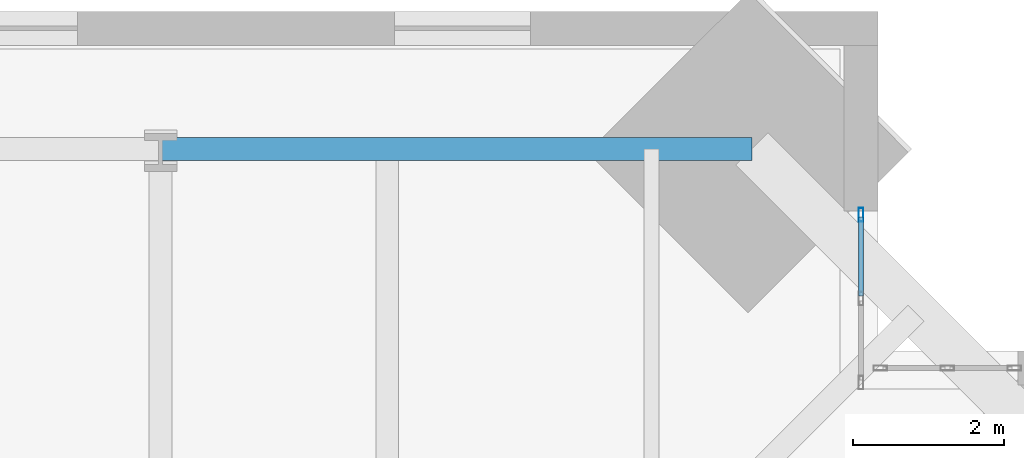
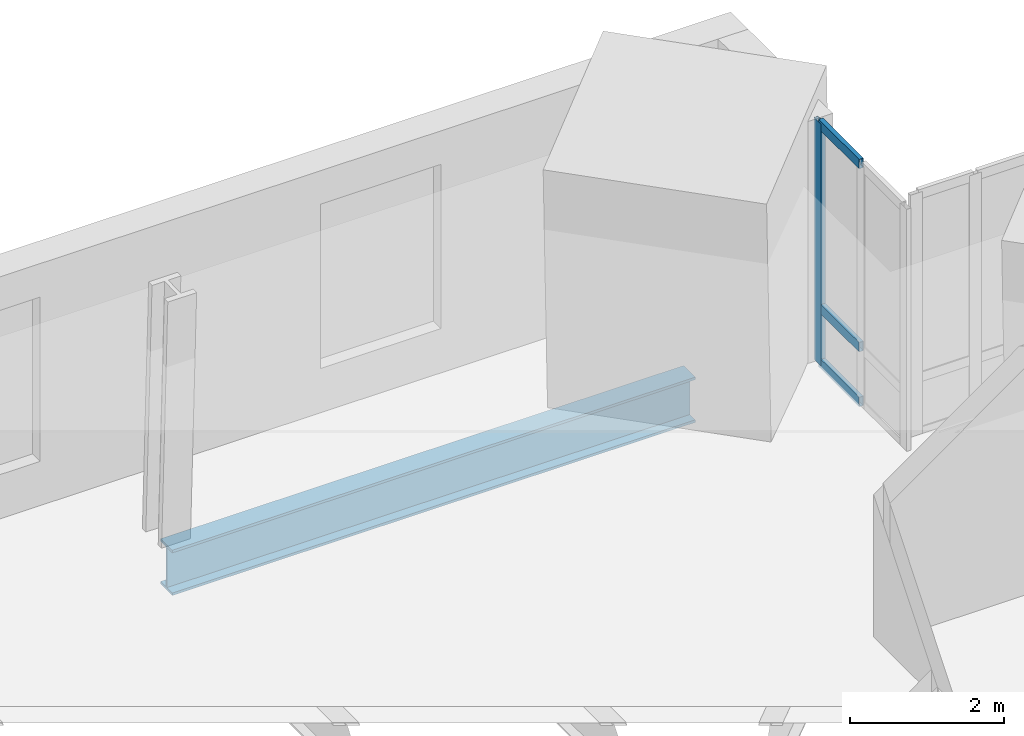
# One storey, part 9 of 16: 4 members, 1 beam, 1 element without a shape of its own.
"""IFC4 building model written with IfcOpenShell, lengths in metres."""

from ifc_helpers import new_model, si_unit, direction, frame, origin, origin_2d, place, context, subcontext, project, spatial, hollow_rectangle, i_section, extrude, material, material_profile, profile_set, type_object, element, aggregate, save


model = new_model("IFC4")

# Units and contexts
model_context = context("Model", 3, precision=1e-05, world=origin(), true_north=direction((0.0, 1.0)))
body_context = subcontext(model_context, "Body", "Model", "MODEL_VIEW")
ifc_project = project(units=[si_unit("LENGTHUNIT", "METRE"), si_unit("AREAUNIT", "SQUARE_METRE"), si_unit("VOLUMEUNIT", "CUBIC_METRE"), si_unit("PLANEANGLEUNIT", "RADIAN"), si_unit("MASSUNIT", "GRAM", prefix="KILO")], contexts=[model_context])

# Site, building, storey
site_placement = place(None, origin())
site = spatial("IfcSite", under=ifc_project, at=site_placement, CompositionType="ELEMENT")
building_placement = place(site_placement, origin())
building = spatial("IfcBuilding", under=site, at=building_placement, Name="Peilmerk Tower", CompositionType="ELEMENT")
storey_placement = place(building_placement, frame((0.0, 0.0, 265.800048828125)))
storey = spatial("IfcBuildingStorey", under=building, at=storey_placement, Name="L59", CompositionType="ELEMENT", Elevation=265.800048828125)

# Beam
ifc_material_1 = material(Name="Steel S355", Category="steel")
ifc_material_profile_1 = material_profile(ifc_material_1, i_section(OverallWidth=0.303955078125, OverallDepth=0.716064453125, WebThickness=0.02099609375, FlangeThickness=0.0400390625, at=origin_2d()), Name="HEM 700")
ifc_profile_set_1 = profile_set([ifc_material_profile_1], Name="Steel S355")
beam_type = type_object("IfcBeamType", Name="B30 HEM 700 edge beam", PredefinedType="SPANDREL", material=ifc_profile_set_1)
beam_placement = place(storey_placement, frame((15.8291015625, 20.178955078125, -0.528076171875), z_axis=(-1.0, 0.0, 0.0), x_axis=(0.0, -1.0, 0.0)))
element("IfcBeam", 1, at=beam_placement, inside=storey, type_object=beam_type, Name="Edge beam L59", PredefinedType="SPANDREL", context=body_context, shape_type="SweptSolid", body=[
    extrude(i_section(OverallWidth=0.303955078125, OverallDepth=0.716064453125, WebThickness=0.02099609375, FlangeThickness=0.0400390625, at=origin_2d()), origin(), (0.0, 0.0, 1.0), 7.8291015625),
])

# Curtain wall, members
ifc_material_2 = material(Name="Aluminium stick curtain wall", Category="aluminium")
curtain_wall_type = type_object("IfcCurtainWallType", Name="CW4 stick curtain wall, 2250 module", PredefinedType="NOTDEFINED", material=ifc_material_2)
curtain_wall_placement = place(storey_placement, origin())
curtain_wall = element("IfcCurtainWall", 2, at=curtain_wall_placement, inside=storey, type_object=curtain_wall_type, Name="Curtain wall CW4 NEA L59", PredefinedType="NOTDEFINED")
ifc_material_3 = material(Name="Aluminium EN AW-6063 T6", Category="aluminium")
ifc_material_profile_2 = material_profile(ifc_material_3, hollow_rectangle(XDim=0.06494140625, YDim=0.179931640625, WallThickness=0.0029296875, at=origin_2d()), Name="AL 180x65x3")
ifc_profile_set_2 = profile_set([ifc_material_profile_2], Name="Aluminium EN AW-6063 T6")
member_type_1 = type_object("IfcMemberType", Name="CW4-M AL 180x65x3 mullion", PredefinedType="MULLION", material=ifc_profile_set_2)
member_1_placement = place(storey_placement, frame((17.27490234375, 19.30615234375, 0.0), z_axis=(0.0, 0.0, 1.0), x_axis=(-1.0, 0.0, 0.0)))
member_1 = element("IfcMember", 3, at=member_1_placement, type_object=member_type_1, Name="CW4 mullion 3", PredefinedType="MULLION", context=body_context, shape_type="SweptSolid", body=[
    extrude(hollow_rectangle(XDim=0.06494140625, YDim=0.179931640625, WallThickness=0.0029296875, at=origin_2d()), origin(), (0.0, 0.0, 1.0), 3.829833984375),
])
ifc_material_profile_3 = material_profile(ifc_material_3, hollow_rectangle(XDim=0.06494140625, YDim=0.14990234375, WallThickness=0.0029296875, at=origin_2d()), Name="AL 150x65x3")
ifc_profile_set_3 = profile_set([ifc_material_profile_3], Name="Aluminium EN AW-6063 T6")
member_type_2 = type_object("IfcMemberType", Name="CW4-T AL 150x65x3 transom", PredefinedType="USERDEFINED", material=ifc_profile_set_3)
member_2_placement = place(storey_placement, frame((17.27490234375, 18.226806640625, 0.032470703125), z_axis=(0.0, 1.0, 0.0), x_axis=(-1.0, 0.0, 0.0)))
member_2 = element("IfcMember", 4, at=member_2_placement, type_object=member_type_2, Name="CW4 transom 2.1", ObjectType="TRANSOM", PredefinedType="USERDEFINED", context=body_context, shape_type="SweptSolid", body=[
    extrude(hollow_rectangle(XDim=0.06494140625, YDim=0.14990234375, WallThickness=0.0029296875, at=origin_2d()), origin(), (0.0, 0.0, 1.0), 1.046875),
])
member_3_placement = place(storey_placement, frame((17.27490234375, 18.226806640625, 0.89990234375), z_axis=(0.0, 1.0, 0.0), x_axis=(-1.0, 0.0, 0.0)))
member_3 = element("IfcMember", 5, at=member_3_placement, type_object=member_type_2, Name="CW4 transom 2.2", ObjectType="TRANSOM", PredefinedType="USERDEFINED", context=body_context, shape_type="SweptSolid", body=[
    extrude(hollow_rectangle(XDim=0.06494140625, YDim=0.14990234375, WallThickness=0.0029296875, at=origin_2d()), origin(), (0.0, 0.0, 1.0), 1.046875),
])
member_4_placement = place(storey_placement, frame((17.27490234375, 18.226806640625, 3.79736328125), z_axis=(0.0, 1.0, 0.0), x_axis=(-1.0, 0.0, 0.0)))
member_4 = element("IfcMember", 6, at=member_4_placement, type_object=member_type_2, Name="CW4 transom 2.3", ObjectType="TRANSOM", PredefinedType="USERDEFINED", context=body_context, shape_type="SweptSolid", body=[
    extrude(hollow_rectangle(XDim=0.06494140625, YDim=0.14990234375, WallThickness=0.0029296875, at=origin_2d()), origin(), (0.0, 0.0, 1.0), 1.046875),
])
aggregate(curtain_wall, [member_1, member_2, member_3, member_4])

save(model, "model.ifc")
